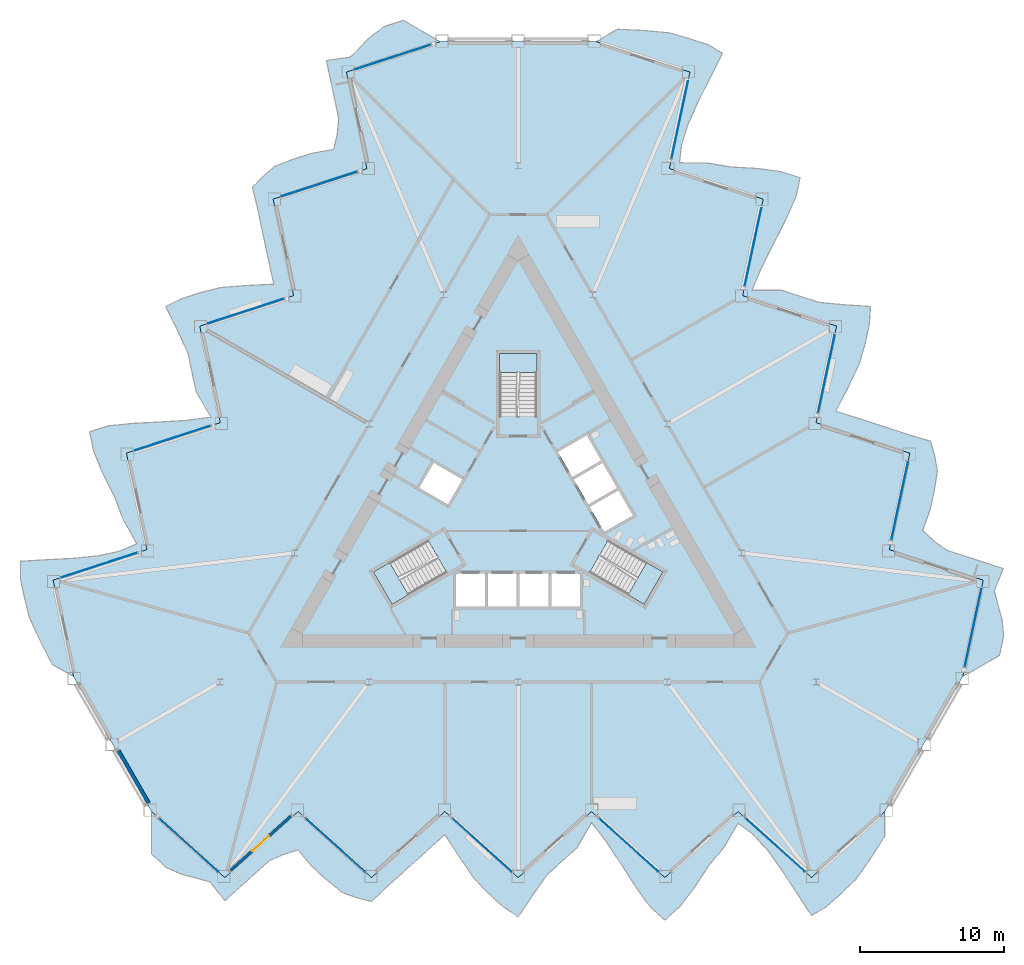
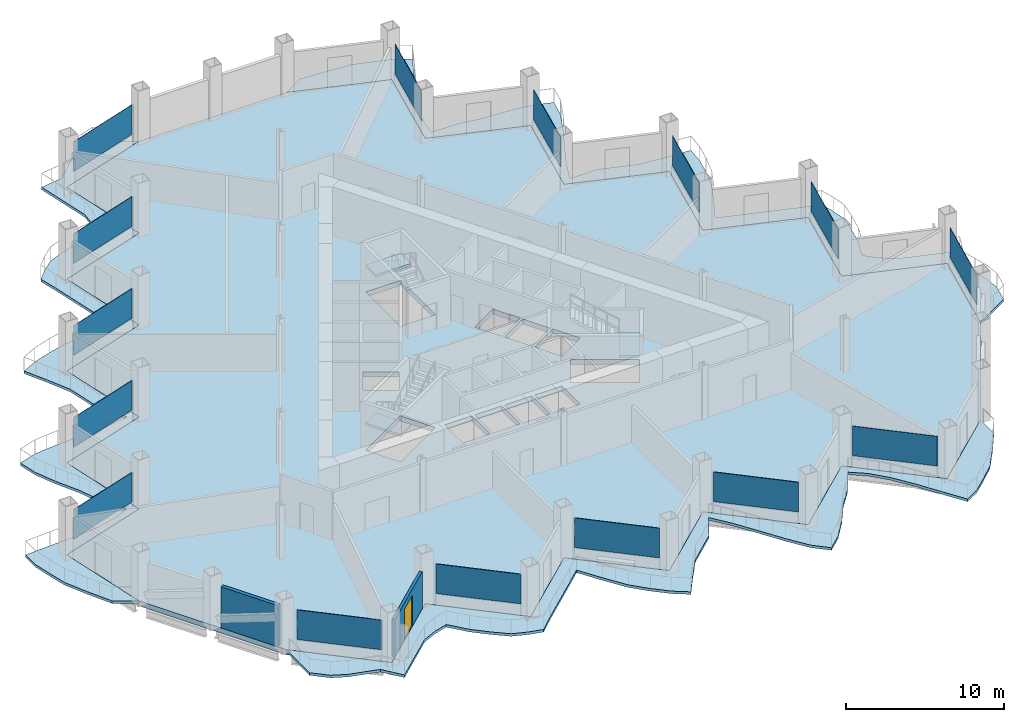
# One storey, part 9 of 21: 15 plates, 7 slabs, 2 walls, 1 door, 1 opening, 18 elements without a shape of their own.
"""IFC4 building model written with IfcOpenShell, lengths in metres."""

from ifc_helpers import new_model, si_unit, direction, frame, frame_2d, origin, origin_2d, place, context, subcontext, project, spatial, polyline, rectangle, outline, extrude, material, layer, layer_set, type_object, element, fill, aggregate, save


model = new_model("IFC4")

# Units and contexts
model_context = context("Model", 3, precision=1e-05, world=origin(), true_north=direction((0.0, 1.0)))
body_context = subcontext(model_context, "Body", "Model", "MODEL_VIEW")
ifc_project = project(units=[si_unit("LENGTHUNIT", "METRE"), si_unit("AREAUNIT", "SQUARE_METRE"), si_unit("VOLUMEUNIT", "CUBIC_METRE"), si_unit("PLANEANGLEUNIT", "RADIAN"), si_unit("MASSUNIT", "GRAM", prefix="KILO")], contexts=[model_context])

# Site, building, storey
site_placement = place(None, origin())
site = spatial("IfcSite", under=ifc_project, at=site_placement, CompositionType="ELEMENT")
building_placement = place(site_placement, origin())
building = spatial("IfcBuilding", under=site, at=building_placement, Name="Cormorant Prow Tower", CompositionType="ELEMENT")
storey_placement = place(building_placement, frame((0.0, 0.0, 145.800048828125)))
storey = spatial("IfcBuildingStorey", under=building, at=storey_placement, Name="L31", CompositionType="ELEMENT", Elevation=145.800048828125)

# Slabs
ifc_material_1 = material(Name="Concrete C40/50", Category="concrete")
ifc_layer_1 = layer(ifc_material_1, 0.199951171875)
ifc_layer_set_1 = layer_set([ifc_layer_1], Name="Concrete C40/50")
slab_type_1 = type_object("IfcSlabType", Name="Balcony slab 200", PredefinedType="FLOOR", material=ifc_layer_set_1)
slab_1_placement = place(storey_placement, frame((0.0, 0.0, -0.199951171875)))
element("IfcSlab", 1, at=slab_1_placement, inside=storey, type_object=slab_type_1, Name="Balcony slab S L31", PredefinedType="FLOOR", context=body_context, shape_type="SweptSolid", body=[
    extrude(outline(polyline([(-25.4072265625, -20.901611328125), (-25.4072265625, -23.851806640625), (-24.390869140625, -24.766845703125), (-23.37451171875, -25.2275390625), (-22.358154296875, -25.49658203125), (-21.342041015625, -25.77978515625), (-20.32568359375, -27.076904296875), (-19.309326171875, -26.161865234375), (-18.293212890625, -25.246826171875), (-17.27685546875, -24.331787109375), (-16.260498046875, -23.867431640625), (-15.244384765625, -23.566162109375), (-14.22802734375, -24.766845703125), (-13.211669921875, -25.681884765625), (-12.1953125, -26.50439453125), (-11.17919921875, -26.87353515625), (-10.162841796875, -27.126708984375), (-9.146484375, -26.161865234375), (-8.13037109375, -25.246826171875), (-7.114013671875, -24.331787109375), (-6.09765625, -23.416748046875), (-5.08154296875, -22.486572265625), (-4.065185546875, -24.064697265625), (-3.048828125, -25.545166015625), (-2.032470703125, -26.596923828125), (-1.016357421875, -27.511962890625), (0.0, -28.193115234375), (1.016357421875, -26.6787109375), (2.032470703125, -25.246826171875), (3.048828125, -24.331787109375), (4.065185546875, -23.416748046875), (5.08154296875, -21.65185546875), (6.09765625, -22.9794921875), (7.114013671875, -24.514892578125), (8.13037109375, -26.0830078125), (9.146484375, -27.500244140625), (10.162841796875, -28.427001953125), (11.17919921875, -27.511962890625), (12.1953125, -26.200439453125), (13.211669921875, -24.648193359375), (14.22802734375, -23.416748046875), (15.244384765625, -21.710693359375), (16.260498046875, -22.46728515625), (17.27685546875, -23.57568359375), (18.293212890625, -24.9814453125), (19.309326171875, -26.54638671875), (20.32568359375, -28.087646484375), (21.342041015625, -27.511962890625), (22.358154296875, -26.596923828125), (23.37451171875, -25.630859375), (24.390869140625, -24.190673828125), (25.4072265625, -22.6171875), (25.4072265625, -20.901611328125), (24.390869140625, -21.816650390625), (23.37451171875, -22.73193359375), (22.358154296875, -23.64697265625), (21.342041015625, -24.56201171875), (20.32568359375, -25.47705078125), (19.309326171875, -24.56201171875), (18.293212890625, -23.64697265625), (17.27685546875, -22.73193359375), (16.260498046875, -21.816650390625), (15.244384765625, -20.901611328125), (14.22802734375, -21.816650390625), (13.211669921875, -22.73193359375), (12.1953125, -23.64697265625), (11.17919921875, -24.56201171875), (10.162841796875, -25.47705078125), (9.146484375, -24.56201171875), (8.13037109375, -23.64697265625), (7.114013671875, -22.73193359375), (6.09765625, -21.816650390625), (5.08154296875, -20.901611328125), (4.065185546875, -21.816650390625), (3.048828125, -22.73193359375), (2.032470703125, -23.64697265625), (1.016357421875, -24.56201171875), (0.0, -25.47705078125), (-1.016357421875, -24.56201171875), (-2.032470703125, -23.64697265625), (-3.048828125, -22.73193359375), (-4.065185546875, -21.816650390625), (-5.08154296875, -20.901611328125), (-6.09765625, -21.816650390625), (-7.114013671875, -22.73193359375), (-8.13037109375, -23.64697265625), (-9.146484375, -24.56201171875), (-10.162841796875, -25.47705078125), (-11.17919921875, -24.56201171875), (-12.1953125, -23.64697265625), (-13.211669921875, -22.73193359375), (-14.22802734375, -21.816650390625), (-15.244384765625, -20.901611328125), (-16.260498046875, -21.816650390625), (-17.27685546875, -22.73193359375), (-18.293212890625, -23.64697265625), (-19.309326171875, -24.56201171875), (-20.32568359375, -25.47705078125), (-21.342041015625, -24.56201171875), (-22.358154296875, -23.64697265625), (-23.37451171875, -22.73193359375), (-24.390869140625, -21.816650390625), (-25.4072265625, -20.901611328125)])), origin(), (0.0, 0.0, 1.0), 0.199951171875),
])
slab_2_placement = place(storey_placement, frame((0.0, 0.0, -0.199951171875)))
element("IfcSlab", 2, at=slab_2_placement, inside=storey, type_object=slab_type_1, Name="Balcony slab ENE L31", PredefinedType="FLOOR", context=body_context, shape_type="SweptSolid", body=[
    extrude(outline(polyline([(30.804931640625, -11.55224609375), (33.359619140625, -10.077392578125), (33.64404296875, -8.73974609375), (33.534912109375, -7.629150390625), (33.259765625, -6.614501953125), (32.996826171875, -5.5927734375), (33.6123046875, -4.06396484375), (32.3115234375, -3.641357421875), (31.010986328125, -3.21875), (29.71044921875, -2.79638671875), (28.800048828125, -2.148193359375), (28.031005859375, -1.4189453125), (28.562744140625, 0.0615234375), (28.846923828125, 1.399169921875), (29.051025390625, 2.690673828125), (28.86279296875, 3.75537109375), (28.573974609375, 4.76220703125), (27.230224609375, 5.159912109375), (25.9296875, 5.58251953125), (24.62890625, 6.005126953125), (23.328369140625, 6.427490234375), (22.0146484375, 6.842529296875), (22.873291015625, 8.511962890625), (23.64697265625, 10.132080078125), (24.0498046875, 11.5380859375), (24.334228515625, 12.875732421875), (24.416015625, 14.096435546875), (22.59619140625, 14.219482421875), (20.84814453125, 14.3837890625), (19.547607421875, 14.806396484375), (18.246826171875, 15.22900390625), (16.21044921875, 15.2265625), (16.85205078125, 16.7705078125), (17.673583984375, 18.41845703125), (18.5234375, 20.08251953125), (19.24267578125, 21.67138671875), (19.537109375, 23.014892578125), (18.236572265625, 23.4375), (16.592529296875, 23.66162109375), (14.739990234375, 23.765625), (13.16552734375, 24.0302734375), (11.179931640625, 24.05712890625), (11.326904296875, 25.315673828125), (11.778564453125, 26.75), (12.488037109375, 28.3330078125), (13.335205078125, 29.99560546875), (14.16162109375, 31.646240234375), (13.155029296875, 32.23876953125), (11.8544921875, 32.661376953125), (10.509521484375, 33.058349609375), (8.75439453125, 33.218505859375), (6.883544921875, 33.311767578125), (5.39794921875, 32.4541015625), (6.698486328125, 32.031494140625), (7.9990234375, 31.60888671875), (9.299560546875, 31.186279296875), (10.600341796875, 30.763671875), (11.90087890625, 30.341064453125), (11.616455078125, 29.00341796875), (11.332275390625, 27.665771484375), (11.0478515625, 26.328125), (10.763671875, 24.990478515625), (10.479248046875, 23.65283203125), (11.77978515625, 23.230224609375), (13.08056640625, 22.8076171875), (14.381103515625, 22.385009765625), (15.681640625, 21.96240234375), (16.982421875, 21.539794921875), (16.697998046875, 20.2021484375), (16.41357421875, 18.864501953125), (16.12939453125, 17.52685546875), (15.844970703125, 16.189208984375), (15.560791015625, 14.8515625), (16.861328125, 14.428955078125), (18.161865234375, 14.00634765625), (19.46240234375, 13.583740234375), (20.76318359375, 13.1611328125), (22.063720703125, 12.738525390625), (21.779541015625, 11.40087890625), (21.4951171875, 10.063232421875), (21.210693359375, 8.7255859375), (20.926513671875, 7.387939453125), (20.64208984375, 6.05029296875), (21.942626953125, 5.627685546875), (23.243408203125, 5.205078125), (24.5439453125, 4.782470703125), (25.844482421875, 4.35986328125), (27.145263671875, 3.937255859375), (26.86083984375, 2.599609375), (26.576416015625, 1.261962890625), (26.292236328125, -0.07568359375), (26.0078125, -1.413330078125), (25.7236328125, -2.7509765625), (27.024169921875, -3.173583984375), (28.32470703125, -3.59619140625), (29.62548828125, -4.018798828125), (30.926025390625, -4.44140625), (32.2265625, -4.864013671875), (31.9423828125, -6.20166015625), (31.657958984375, -7.539306640625), (31.37353515625, -8.876953125), (31.08935546875, -10.214599609375), (30.804931640625, -11.55224609375)])), origin(), (0.0, 0.0, 1.0), 0.199951171875),
])
slab_3_placement = place(storey_placement, frame((0.0, 0.0, -0.199951171875)))
element("IfcSlab", 3, at=slab_3_placement, inside=storey, type_object=slab_type_1, Name="Balcony slab WNW L31", PredefinedType="FLOOR", context=body_context, shape_type="SweptSolid", body=[
    extrude(outline(polyline([(-5.39794921875, 32.4541015625), (-7.95263671875, 33.928955078125), (-9.253173828125, 33.50634765625), (-10.160400390625, 32.856689453125), (-10.901611328125, 32.111083984375), (-11.65478515625, 31.37255859375), (-13.28662109375, 31.14111328125), (-13.002197265625, 29.803466796875), (-12.7177734375, 28.4658203125), (-12.43359375, 27.128173828125), (-12.53955078125, 26.015869140625), (-12.78662109375, 24.98486328125), (-14.334716796875, 24.705078125), (-15.63525390625, 24.282470703125), (-16.855712890625, 23.813720703125), (-17.68359375, 23.1181640625), (-18.4111328125, 22.36474609375), (-18.083740234375, 21.002197265625), (-17.79931640625, 19.66455078125), (-17.514892578125, 18.326904296875), (-17.230712890625, 16.9892578125), (-16.93310546875, 15.643798828125), (-18.80810546875, 15.552978515625), (-20.59814453125, 15.412841796875), (-22.017333984375, 15.05859375), (-23.31787109375, 14.635986328125), (-24.416015625, 14.096435546875), (-23.612548828125, 12.459228515625), (-22.880615234375, 10.86328125), (-22.596435546875, 9.525634765625), (-22.31201171875, 8.187744140625), (-21.291748046875, 6.42529296875), (-22.94970703125, 6.208984375), (-24.78759765625, 6.096435546875), (-26.65380859375, 6.00048828125), (-28.389404296875, 5.8291015625), (-29.699951171875, 5.412109375), (-29.41552734375, 4.074462890625), (-28.787841796875, 2.53857421875), (-27.95166015625, 0.88232421875), (-27.3935546875, -0.613525390625), (-26.424072265625, -2.3466796875), (-27.58740234375, -2.848388671875), (-29.055419921875, -3.17431640625), (-30.781005859375, -3.3515625), (-32.64453125, -3.44921875), (-34.4873046875, -3.558837890625), (-34.4970703125, -4.726806640625), (-34.212646484375, -6.064453125), (-33.88427734375, -7.427490234375), (-33.145263671875, -9.02783203125), (-32.29052734375, -10.694580078125), (-30.804931640625, -11.55224609375), (-31.08935546875, -10.214599609375), (-31.37353515625, -8.876953125), (-31.657958984375, -7.539306640625), (-31.9423828125, -6.20166015625), (-32.2265625, -4.864013671875), (-30.926025390625, -4.44140625), (-29.62548828125, -4.018798828125), (-28.32470703125, -3.59619140625), (-27.024169921875, -3.173583984375), (-25.7236328125, -2.7509765625), (-26.0078125, -1.413330078125), (-26.292236328125, -0.07568359375), (-26.576416015625, 1.261962890625), (-26.86083984375, 2.599609375), (-27.145263671875, 3.937255859375), (-25.844482421875, 4.35986328125), (-24.5439453125, 4.782470703125), (-23.243408203125, 5.205078125), (-21.942626953125, 5.627685546875), (-20.64208984375, 6.05029296875), (-20.926513671875, 7.387939453125), (-21.210693359375, 8.7255859375), (-21.4951171875, 10.063232421875), (-21.779541015625, 11.40087890625), (-22.063720703125, 12.738525390625), (-20.76318359375, 13.1611328125), (-19.46240234375, 13.583740234375), (-18.161865234375, 14.00634765625), (-16.861328125, 14.428955078125), (-15.560791015625, 14.8515625), (-15.844970703125, 16.189208984375), (-16.12939453125, 17.52685546875), (-16.41357421875, 18.864501953125), (-16.697998046875, 20.2021484375), (-16.982421875, 21.539794921875), (-15.681640625, 21.96240234375), (-14.381103515625, 22.385009765625), (-13.08056640625, 22.8076171875), (-11.77978515625, 23.230224609375), (-10.479248046875, 23.65283203125), (-10.763671875, 24.990478515625), (-11.0478515625, 26.328125), (-11.332275390625, 27.665771484375), (-11.616455078125, 29.00341796875), (-11.90087890625, 30.341064453125), (-10.600341796875, 30.763671875), (-9.299560546875, 31.186279296875), (-7.9990234375, 31.60888671875), (-6.698486328125, 32.031494140625), (-5.39794921875, 32.4541015625)])), origin(), (0.0, 0.0, 1.0), 0.199951171875),
])

# Curtain wall, plate
ifc_material_2 = material(Name="Aluminium 6063-T6", Category="aluminium")
ifc_layer_2 = layer(ifc_material_2, 0.199951171875)
ifc_layer_set_2 = layer_set([ifc_layer_2], Name="Aluminium 6063-T6")
curtain_wall_type = type_object("IfcCurtainWallType", Name="Office unitised curtain wall 200", PredefinedType="NOTDEFINED", material=ifc_layer_set_2)
curtain_wall_1_placement = place(storey_placement, origin())
curtain_wall_1 = element("IfcCurtainWall", 4, at=curtain_wall_1_placement, inside=storey, type_object=curtain_wall_type, Name="Office curtain wall S00", PredefinedType="NOTDEFINED")
ifc_material_3 = material(Name="Clear glass", Category="glass")
ifc_layer_3 = layer(ifc_material_3, 0.031982421875)
ifc_layer_set_3 = layer_set([ifc_layer_3], Name="Clear glass")
plate_type = type_object("IfcPlateType", Name="Office glass panel 32", PredefinedType="CURTAIN_PANEL", material=ifc_layer_set_3)
plate_1_placement = place(storey_placement, frame((-22.843994140625, -23.20947265625, 0.89990234375), z_axis=(0.0, 0.0, 1.0), x_axis=(0.743144943349, -0.669130475449, 0.0)))
plate_1 = element("IfcPlate", 5, at=plate_1_placement, type_object=plate_type, Name="Office glass panel S00", PredefinedType="CURTAIN_PANEL", context=body_context, shape_type="SweptSolid", body=[
    extrude(rectangle(XDim=5.505615234375, YDim=0.031982421875, at=origin_2d()), origin(), (0.0, 0.0, 1.0), 2.288818359375),
])
aggregate(curtain_wall_1, [plate_1])

curtain_wall_2_placement = place(storey_placement, origin())
curtain_wall_2 = element("IfcCurtainWall", 6, at=curtain_wall_2_placement, inside=storey, type_object=curtain_wall_type, Name="Office curtain wall S02", PredefinedType="NOTDEFINED")
plate_2_placement = place(storey_placement, frame((-12.68115234375, -23.20947265625, 0.89990234375), z_axis=(0.0, 0.0, 1.0), x_axis=(0.743144877867, -0.669130548174, 0.0)))
plate_2 = element("IfcPlate", 7, at=plate_2_placement, type_object=plate_type, Name="Office glass panel S02", PredefinedType="CURTAIN_PANEL", context=body_context, shape_type="SweptSolid", body=[
    extrude(rectangle(XDim=5.505615234375, YDim=0.031982421875, at=origin_2d()), origin(), (0.0, 0.0, 1.0), 2.288818359375),
])
aggregate(curtain_wall_2, [plate_2])

curtain_wall_3_placement = place(storey_placement, origin())
curtain_wall_3 = element("IfcCurtainWall", 8, at=curtain_wall_3_placement, inside=storey, type_object=curtain_wall_type, Name="Office curtain wall S04", PredefinedType="NOTDEFINED")
plate_3_placement = place(storey_placement, frame((-2.518310546875, -23.20947265625, 0.89990234375), z_axis=(0.0, 0.0, 1.0), x_axis=(0.743144877867, -0.669130548174, 0.0)))
plate_3 = element("IfcPlate", 9, at=plate_3_placement, type_object=plate_type, Name="Office glass panel S04", PredefinedType="CURTAIN_PANEL", context=body_context, shape_type="SweptSolid", body=[
    extrude(rectangle(XDim=5.505615234375, YDim=0.031982421875, at=origin_2d()), origin(), (0.0, 0.0, 1.0), 2.288818359375),
])
aggregate(curtain_wall_3, [plate_3])

curtain_wall_4_placement = place(storey_placement, origin())
curtain_wall_4 = element("IfcCurtainWall", 10, at=curtain_wall_4_placement, inside=storey, type_object=curtain_wall_type, Name="Office curtain wall S06", PredefinedType="NOTDEFINED")
plate_4_placement = place(storey_placement, frame((7.64453125, -23.20947265625, 0.89990234375), z_axis=(0.0, 0.0, 1.0), x_axis=(0.743144877867, -0.669130548174, 0.0)))
plate_4 = element("IfcPlate", 11, at=plate_4_placement, type_object=plate_type, Name="Office glass panel S06", PredefinedType="CURTAIN_PANEL", context=body_context, shape_type="SweptSolid", body=[
    extrude(rectangle(XDim=5.505615234375, YDim=0.031982421875, at=origin_2d()), origin(), (0.0, 0.0, 1.0), 2.288818359375),
])
aggregate(curtain_wall_4, [plate_4])

curtain_wall_5_placement = place(storey_placement, origin())
curtain_wall_5 = element("IfcCurtainWall", 12, at=curtain_wall_5_placement, inside=storey, type_object=curtain_wall_type, Name="Office curtain wall S08", PredefinedType="NOTDEFINED")
plate_5_placement = place(storey_placement, frame((17.807373046875, -23.20947265625, 0.89990234375), z_axis=(0.0, 0.0, 1.0), x_axis=(0.743144877867, -0.669130548174, 0.0)))
plate_5 = element("IfcPlate", 13, at=plate_5_placement, type_object=plate_type, Name="Office glass panel S08", PredefinedType="CURTAIN_PANEL", context=body_context, shape_type="SweptSolid", body=[
    extrude(rectangle(XDim=5.505615234375, YDim=0.031982421875, at=origin_2d()), origin(), (0.0, 0.0, 1.0), 2.288818359375),
])
aggregate(curtain_wall_5, [plate_5])

curtain_wall_6_placement = place(storey_placement, origin())
curtain_wall_6 = element("IfcCurtainWall", 14, at=curtain_wall_6_placement, inside=storey, type_object=curtain_wall_type, Name="Office curtain wall ENE00", PredefinedType="NOTDEFINED")
plate_6_placement = place(storey_placement, frame((31.52197265625, -8.178955078125, 0.89990234375), z_axis=(0.0, 0.0, 1.0), x_axis=(0.207911666046, 0.978147605999, 0.0)))
plate_6 = element("IfcPlate", 15, at=plate_6_placement, type_object=plate_type, Name="Office glass panel ENE00", PredefinedType="CURTAIN_PANEL", context=body_context, shape_type="SweptSolid", body=[
    extrude(rectangle(XDim=5.505615234375, YDim=0.031982421875, at=origin_2d()), origin(), (0.0, 0.0, 1.0), 2.288818359375),
])
aggregate(curtain_wall_6, [plate_6])

curtain_wall_7_placement = place(storey_placement, origin())
curtain_wall_7 = element("IfcCurtainWall", 16, at=curtain_wall_7_placement, inside=storey, type_object=curtain_wall_type, Name="Office curtain wall ENE02", PredefinedType="NOTDEFINED")
plate_7_placement = place(storey_placement, frame((26.440673828125, 0.622314453125, 0.89990234375), z_axis=(0.0, 0.0, 1.0), x_axis=(0.207911805985, 0.978147576254, 0.0)))
plate_7 = element("IfcPlate", 17, at=plate_7_placement, type_object=plate_type, Name="Office glass panel ENE02", PredefinedType="CURTAIN_PANEL", context=body_context, shape_type="SweptSolid", body=[
    extrude(rectangle(XDim=5.505615234375, YDim=0.031982421875, at=origin_2d()), origin(), (0.0, 0.0, 1.0), 2.288818359375),
])
aggregate(curtain_wall_7, [plate_7])

curtain_wall_8_placement = place(storey_placement, origin())
curtain_wall_8 = element("IfcCurtainWall", 18, at=curtain_wall_8_placement, inside=storey, type_object=curtain_wall_type, Name="Office curtain wall ENE04", PredefinedType="NOTDEFINED")
plate_8_placement = place(storey_placement, frame((21.359130859375, 9.423583984375, 0.89990234375), z_axis=(0.0, 0.0, 1.0), x_axis=(0.207911666046, 0.978147605999, 0.0)))
plate_8 = element("IfcPlate", 19, at=plate_8_placement, type_object=plate_type, Name="Office glass panel ENE04", PredefinedType="CURTAIN_PANEL", context=body_context, shape_type="SweptSolid", body=[
    extrude(rectangle(XDim=5.505615234375, YDim=0.031982421875, at=origin_2d()), origin(), (0.0, 0.0, 1.0), 2.288818359375),
])
aggregate(curtain_wall_8, [plate_8])

curtain_wall_9_placement = place(storey_placement, origin())
curtain_wall_9 = element("IfcCurtainWall", 20, at=curtain_wall_9_placement, inside=storey, type_object=curtain_wall_type, Name="Office curtain wall ENE06", PredefinedType="NOTDEFINED")
plate_9_placement = place(storey_placement, frame((16.27783203125, 18.22509765625, 0.89990234375), z_axis=(0.0, 0.0, 1.0), x_axis=(0.207911695803, 0.978147599674, 0.0)))
plate_9 = element("IfcPlate", 21, at=plate_9_placement, type_object=plate_type, Name="Office glass panel ENE06", PredefinedType="CURTAIN_PANEL", context=body_context, shape_type="SweptSolid", body=[
    extrude(rectangle(XDim=5.505615234375, YDim=0.031982421875, at=origin_2d()), origin(), (0.0, 0.0, 1.0), 2.288818359375),
])
aggregate(curtain_wall_9, [plate_9])

curtain_wall_10_placement = place(storey_placement, origin())
curtain_wall_10 = element("IfcCurtainWall", 22, at=curtain_wall_10_placement, inside=storey, type_object=curtain_wall_type, Name="Office curtain wall ENE08", PredefinedType="NOTDEFINED")
plate_10_placement = place(storey_placement, frame((11.1962890625, 27.0263671875, 0.89990234375), z_axis=(0.0, 0.0, 1.0), x_axis=(0.207911666046, 0.978147605999, 0.0)))
plate_10 = element("IfcPlate", 23, at=plate_10_placement, type_object=plate_type, Name="Office glass panel ENE08", PredefinedType="CURTAIN_PANEL", context=body_context, shape_type="SweptSolid", body=[
    extrude(rectangle(XDim=5.505615234375, YDim=0.031982421875, at=origin_2d()), origin(), (0.0, 0.0, 1.0), 2.288818359375),
])
aggregate(curtain_wall_10, [plate_10])

curtain_wall_11_placement = place(storey_placement, origin())
curtain_wall_11 = element("IfcCurtainWall", 24, at=curtain_wall_11_placement, inside=storey, type_object=curtain_wall_type, Name="Office curtain wall WNW00", PredefinedType="NOTDEFINED")
plate_11_placement = place(storey_placement, frame((-8.677978515625, 31.38818359375, 0.89990234375), z_axis=(0.0, 0.0, 1.0), x_axis=(-0.951056511101, -0.30901701036, 0.0)))
plate_11 = element("IfcPlate", 25, at=plate_11_placement, type_object=plate_type, Name="Office glass panel WNW00", PredefinedType="CURTAIN_PANEL", context=body_context, shape_type="SweptSolid", body=[
    extrude(rectangle(XDim=5.505615234375, YDim=0.031982421875, at=origin_2d()), origin(), (0.0, 0.0, 1.0), 2.288818359375),
])
aggregate(curtain_wall_11, [plate_11])

curtain_wall_12_placement = place(storey_placement, origin())
curtain_wall_12 = element("IfcCurtainWall", 26, at=curtain_wall_12_placement, inside=storey, type_object=curtain_wall_type, Name="Office curtain wall WNW02", PredefinedType="NOTDEFINED")
plate_12_placement = place(storey_placement, frame((-13.75927734375, 22.5869140625, 0.89990234375), z_axis=(0.0, 0.0, 1.0), x_axis=(-0.951056511101, -0.30901701036, 0.0)))
plate_12 = element("IfcPlate", 27, at=plate_12_placement, type_object=plate_type, Name="Office glass panel WNW02", PredefinedType="CURTAIN_PANEL", context=body_context, shape_type="SweptSolid", body=[
    extrude(rectangle(XDim=5.505615234375, YDim=0.031982421875, at=origin_2d()), origin(), (0.0, 0.0, 1.0), 2.288818359375),
])
aggregate(curtain_wall_12, [plate_12])

curtain_wall_13_placement = place(storey_placement, origin())
curtain_wall_13 = element("IfcCurtainWall", 28, at=curtain_wall_13_placement, inside=storey, type_object=curtain_wall_type, Name="Office curtain wall WNW04", PredefinedType="NOTDEFINED")
plate_13_placement = place(storey_placement, frame((-18.8408203125, 13.78564453125, 0.89990234375), z_axis=(0.0, 0.0, 1.0), x_axis=(-0.951056511101, -0.30901701036, 0.0)))
plate_13 = element("IfcPlate", 29, at=plate_13_placement, type_object=plate_type, Name="Office glass panel WNW04", PredefinedType="CURTAIN_PANEL", context=body_context, shape_type="SweptSolid", body=[
    extrude(rectangle(XDim=5.505615234375, YDim=0.031982421875, at=origin_2d()), origin(), (0.0, 0.0, 1.0), 2.288818359375),
])
aggregate(curtain_wall_13, [plate_13])

curtain_wall_14_placement = place(storey_placement, origin())
curtain_wall_14 = element("IfcCurtainWall", 30, at=curtain_wall_14_placement, inside=storey, type_object=curtain_wall_type, Name="Office curtain wall WNW06", PredefinedType="NOTDEFINED")
plate_14_placement = place(storey_placement, frame((-23.922119140625, 4.984375, 0.89990234375), z_axis=(0.0, 0.0, 1.0), x_axis=(-0.951056525065, -0.309016967385, 0.0)))
plate_14 = element("IfcPlate", 31, at=plate_14_placement, type_object=plate_type, Name="Office glass panel WNW06", PredefinedType="CURTAIN_PANEL", context=body_context, shape_type="SweptSolid", body=[
    extrude(rectangle(XDim=5.505615234375, YDim=0.031982421875, at=origin_2d()), origin(), (0.0, 0.0, 1.0), 2.288818359375),
])
aggregate(curtain_wall_14, [plate_14])

curtain_wall_15_placement = place(storey_placement, origin())
curtain_wall_15 = element("IfcCurtainWall", 32, at=curtain_wall_15_placement, inside=storey, type_object=curtain_wall_type, Name="Office curtain wall WNW08", PredefinedType="NOTDEFINED")
plate_15_placement = place(storey_placement, frame((-29.003662109375, -3.81689453125, 0.89990234375), z_axis=(0.0, 0.0, 1.0), x_axis=(-0.951056525065, -0.309016967385, 0.0)))
plate_15 = element("IfcPlate", 33, at=plate_15_placement, type_object=plate_type, Name="Office glass panel WNW08", PredefinedType="CURTAIN_PANEL", context=body_context, shape_type="SweptSolid", body=[
    extrude(rectangle(XDim=5.505615234375, YDim=0.031982421875, at=origin_2d()), origin(), (0.0, 0.0, 1.0), 2.288818359375),
])
aggregate(curtain_wall_15, [plate_15])

# Slab
ifc_material_4 = material(Name="Concrete C40/50", Category="concrete")
ifc_layer_4 = layer(ifc_material_4, 0.39990234375)
ifc_layer_set_4 = layer_set([ifc_layer_4], Name="Concrete C40/50")
slab_type_2 = type_object("IfcSlabType", Name="Post-tensioned flat slab 400", PredefinedType="FLOOR", material=ifc_layer_set_4)
slab_4_placement = place(storey_placement, frame((0.0, 0.0, -0.400146484375)))
element("IfcSlab", 34, at=slab_4_placement, inside=storey, type_object=slab_type_2, Name="Floor slab L31", PredefinedType="FLOOR", context=body_context, shape_type="SweptSolid", body=[
    extrude(outline(polyline([(-11.90087890625, 30.341064453125), (-10.479248046875, 23.65283203125), (-16.982421875, 21.539794921875), (-15.560791015625, 14.8515625), (-22.063720703125, 12.738525390625), (-20.64208984375, 6.05029296875), (-27.145263671875, 3.937255859375), (-25.7236328125, -2.7509765625), (-32.2265625, -4.864013671875), (-30.804931640625, -11.55224609375), (-28.10595703125, -16.22705078125), (-25.4072265625, -20.901611328125), (-20.32568359375, -25.47705078125), (-15.244384765625, -20.901611328125), (-10.162841796875, -25.47705078125), (-5.08154296875, -20.901611328125), (0.0, -25.47705078125), (5.08154296875, -20.901611328125), (10.162841796875, -25.47705078125), (15.244384765625, -20.901611328125), (20.32568359375, -25.47705078125), (25.4072265625, -20.901611328125), (28.10595703125, -16.22705078125), (30.804931640625, -11.55224609375), (32.2265625, -4.864013671875), (25.7236328125, -2.7509765625), (27.145263671875, 3.937255859375), (20.64208984375, 6.05029296875), (22.063720703125, 12.738525390625), (15.560791015625, 14.8515625), (16.982421875, 21.539794921875), (10.479248046875, 23.65283203125), (11.90087890625, 30.341064453125), (5.39794921875, 32.4541015625), (0.0, 32.4541015625), (-5.39794921875, 32.4541015625), (-11.90087890625, 30.341064453125)]), holes=[polyline([(-4.300048828125, -6.699951171875), (-4.300048828125, -4.39990234375), (-2.300048828125, -4.39990234375), (-2.300048828125, -6.699951171875), (-4.300048828125, -6.699951171875)]), polyline([(-2.10009765625, -4.39990234375), (-0.10009765625, -4.39990234375), (-0.10009765625, -6.699951171875), (-2.10009765625, -6.699951171875), (-2.10009765625, -4.39990234375)]), polyline([(2.10009765625, -4.39990234375), (2.10009765625, -6.699951171875), (0.10009765625, -6.699951171875), (0.10009765625, -4.39990234375), (2.10009765625, -4.39990234375)]), polyline([(4.300048828125, -6.699951171875), (2.300048828125, -6.699951171875), (2.300048828125, -4.39990234375), (4.300048828125, -4.39990234375), (4.300048828125, -6.699951171875)]), polyline([(7.952392578125, -0.373779296875), (5.96044921875, -1.52392578125), (4.96044921875, 0.2080078125), (6.952392578125, 1.358154296875), (7.952392578125, -0.373779296875)]), polyline([(4.860595703125, 0.38134765625), (3.860595703125, 2.11328125), (5.852294921875, 3.263427734375), (6.852294921875, 1.53125), (4.860595703125, 0.38134765625)]), polyline([(2.760498046875, 4.018798828125), (4.75244140625, 5.168701171875), (5.75244140625, 3.4365234375), (3.760498046875, 2.28662109375), (2.760498046875, 4.018798828125)]), polyline([(-6.852294921875, 1.53125), (-5.852294921875, 3.263427734375), (-3.860595703125, 2.11328125), (-4.860595703125, 0.38134765625), (-6.852294921875, 1.53125)]), polyline([(-4.947509765625, -4.3505859375), (-8.738037109375, -6.5390625), (-10.031982421875, -4.2978515625), (-6.241455078125, -2.109375), (-4.947509765625, -4.3505859375)]), polyline([(10.031982421875, -4.2978515625), (8.738037109375, -6.5390625), (4.947509765625, -4.3505859375), (6.241455078125, -2.109375), (10.031982421875, -4.2978515625)]), polyline([(1.2939453125, 10.8369140625), (1.2939453125, 6.459716796875), (-1.2939453125, 6.459716796875), (-1.2939453125, 10.8369140625), (1.2939453125, 10.8369140625)])]), origin(), (0.0, 0.0, 1.0), 0.400146484375),
])

# Stair, slab
ifc_material_5 = material(Name="Exit stair 24 risers")
stair_type = type_object("IfcStairType", Name="Exit stair 24 risers", PredefinedType="HALF_TURN_STAIR", material=ifc_material_5)
stair_1_placement = place(storey_placement, origin())
stair_1 = element("IfcStair", 35, at=stair_1_placement, inside=storey, type_object=stair_type, Name="L31 Exit stair ST1", PredefinedType="HALF_TURN_STAIR")
ifc_material_6 = material(Name="Concrete 5000 psi", Category="concrete")
ifc_layer_5 = layer(ifc_material_6, 0.199951171875)
ifc_layer_set_5 = layer_set([ifc_layer_5], Name="Concrete 5000 psi")
slab_type_3 = type_object("IfcSlabType", Name="Stair landing 200", PredefinedType="LANDING", material=ifc_layer_set_5)
slab_5_placement = place(storey_placement, frame((0.0, 0.0, 1.89990234375)))
slab_5 = element("IfcSlab", 36, at=slab_5_placement, type_object=slab_type_3, Name="ST1 landing 1", PredefinedType="LANDING", context=body_context, shape_type="SweptSolid", body=[
    extrude(outline(polyline([(-8.90185546875, -3.645263671875), (-10.031982421875, -4.2978515625), (-8.738037109375, -6.5390625), (-7.60791015625, -5.886474609375), (-8.90185546875, -3.645263671875)])), origin(), (0.0, 0.0, 1.0), 0.199951171875),
])
aggregate(stair_1, [slab_5])

stair_2_placement = place(storey_placement, origin())
stair_2 = element("IfcStair", 37, at=stair_2_placement, inside=storey, type_object=stair_type, Name="L31 Exit stair ST2", PredefinedType="HALF_TURN_STAIR")
slab_6_placement = place(storey_placement, frame((0.0, 0.0, 1.89990234375)))
slab_6 = element("IfcSlab", 38, at=slab_6_placement, type_object=slab_type_3, Name="ST2 landing 1", PredefinedType="LANDING", context=body_context, shape_type="SweptSolid", body=[
    extrude(outline(polyline([(7.60791015625, -5.886474609375), (8.738037109375, -6.5390625), (10.031982421875, -4.2978515625), (8.90185546875, -3.645263671875), (7.60791015625, -5.886474609375)])), origin(), (0.0, 0.0, 1.0), 0.199951171875),
])
aggregate(stair_2, [slab_6])

stair_3_placement = place(storey_placement, origin())
stair_3 = element("IfcStair", 39, at=stair_3_placement, inside=storey, type_object=stair_type, Name="L31 Exit stair ST3", PredefinedType="HALF_TURN_STAIR")
slab_7_placement = place(storey_placement, frame((0.0, 0.0, 1.89990234375)))
slab_7 = element("IfcSlab", 40, at=slab_7_placement, type_object=slab_type_3, Name="ST3 landing 1", PredefinedType="LANDING", context=body_context, shape_type="SweptSolid", body=[
    extrude(outline(polyline([(1.2939453125, 9.53173828125), (1.2939453125, 10.8369140625), (-1.2939453125, 10.8369140625), (-1.2939453125, 9.53173828125), (1.2939453125, 9.53173828125)])), origin(), (0.0, 0.0, 1.0), 0.199951171875),
])
aggregate(stair_3, [slab_7])

# Wall
ifc_material_7 = material(Name="Terracotta", Category="masonry")
ifc_layer_6 = layer(ifc_material_7, 0.25)
ifc_layer_set_6 = layer_set([ifc_layer_6], Name="Terracotta")
wall_type_1 = type_object("IfcWallType", Name="Terracotta bay wall 250", PredefinedType="SOLIDWALL", material=ifc_layer_set_6)
wall_1_placement = place(storey_placement, frame((-27.6923828125, -16.693359375, 0.0), z_axis=(0.0, 0.0, 1.0), x_axis=(0.500002690545, -0.866023850392, 0.0)))
element("IfcWall", 41, at=wall_1_placement, inside=storey, type_object=wall_type_1, Name="Terracotta bay wall WSW01", PredefinedType="SOLIDWALL", context=body_context, shape_type="SweptSolid", body=[
    extrude(rectangle(XDim=4.1728515625, YDim=0.25, at=frame_2d((2.08642578125, 0.0))), origin(), (0.0, 0.0, 1.0), 3.18896484375),
])

# Wall, opening, door
ifc_material_8 = material(Name="Terracotta", Category="masonry")
ifc_layer_7 = layer(ifc_material_8, 0.199951171875)
ifc_layer_set_7 = layer_set([ifc_layer_7], Name="Terracotta")
wall_type_2 = type_object("IfcWallType", Name="Terracotta jamb wall 200", PredefinedType="SOLIDWALL", material=ifc_layer_set_7)
wall_2_placement = place(storey_placement, frame((-19.919921875, -24.97705078125, 0.0), z_axis=(0.0, 0.0, 1.0), x_axis=(0.743146822591, 0.669128388333, 0.0)))
wall_2 = element("IfcWall", 42, at=wall_2_placement, inside=storey, type_object=wall_type_2, Name="Terracotta jamb wall S01", PredefinedType="SOLIDWALL", context=body_context, shape_type="SweptSolid", body=[
    extrude(rectangle(XDim=5.60400390625, YDim=0.199951171875, at=frame_2d((2.802001953125, 0.0))), origin(), (0.0, 0.0, 1.0), 2.88525390625),
])
opening_placement = place(wall_2_placement, frame((1.98291015625, 0.0, 0.0)))
opening = element("IfcOpeningElement", 43, at=opening_placement, cuts=wall_2, Name="Opening ED31.01", PredefinedType="OPENING", context=body_context, shape_type="SweptSolid", body=[
    extrude(rectangle(XDim=1.60009765625, YDim=2.39990234375, at=frame_2d((0.800048828125, 1.199951171875))), frame((0.0, 0.10986328125, 0.0), z_axis=(0.0, -1.0, 0.0), x_axis=(1.0, 0.0, 0.0)), (0.0, 0.0, 1.0), 0.219970703125),
])
ifc_material_9 = material(Name="Aluminium 6063-T6", Category="aluminium")
door_type = type_object("IfcDoorType", Name="Balcony door 1600x2400", OperationType="DOUBLE_DOOR_SINGLE_SWING", PredefinedType="DOOR", material=ifc_material_9)
door_placement = place(opening_placement, origin())
door = element("IfcDoor", 44, at=door_placement, inside=storey, type_object=door_type, Name="Balcony door S01 ED31.01", OperationType="DOUBLE_DOOR_SINGLE_SWING", OverallHeight=2.39990234375, OverallWidth=1.60009765625, PredefinedType="DOOR", context=body_context, shape_type="SweptSolid", body=[
    extrude(rectangle(XDim=1.60009765625, YDim=2.39990234375, at=frame_2d((0.800048828125, 1.199951171875))), frame((0.0, 0.02490234375, 0.0), z_axis=(0.0, -1.0, 0.0), x_axis=(1.0, 0.0, 0.0)), (0.0, 0.0, 1.0), 0.050048828125),
])
fill(opening, door)

save(model, "model.ifc")
